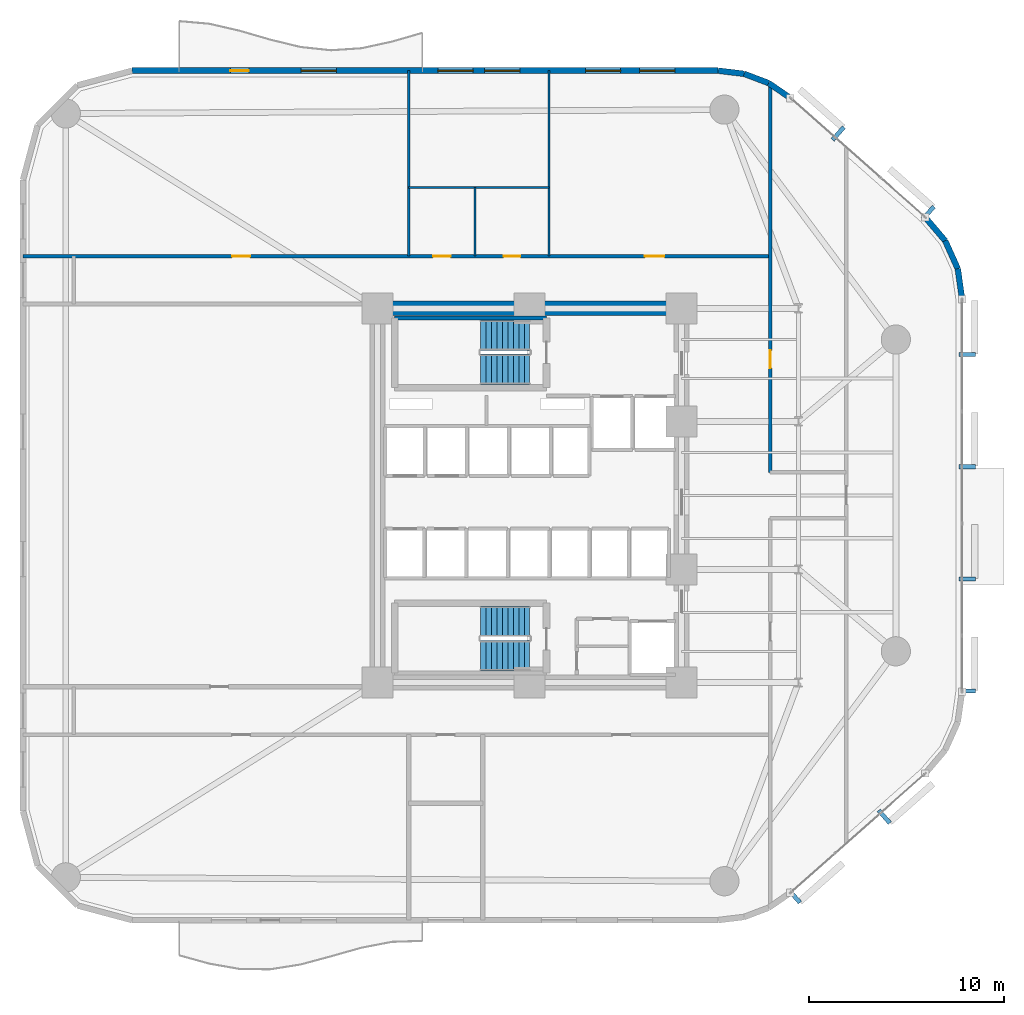
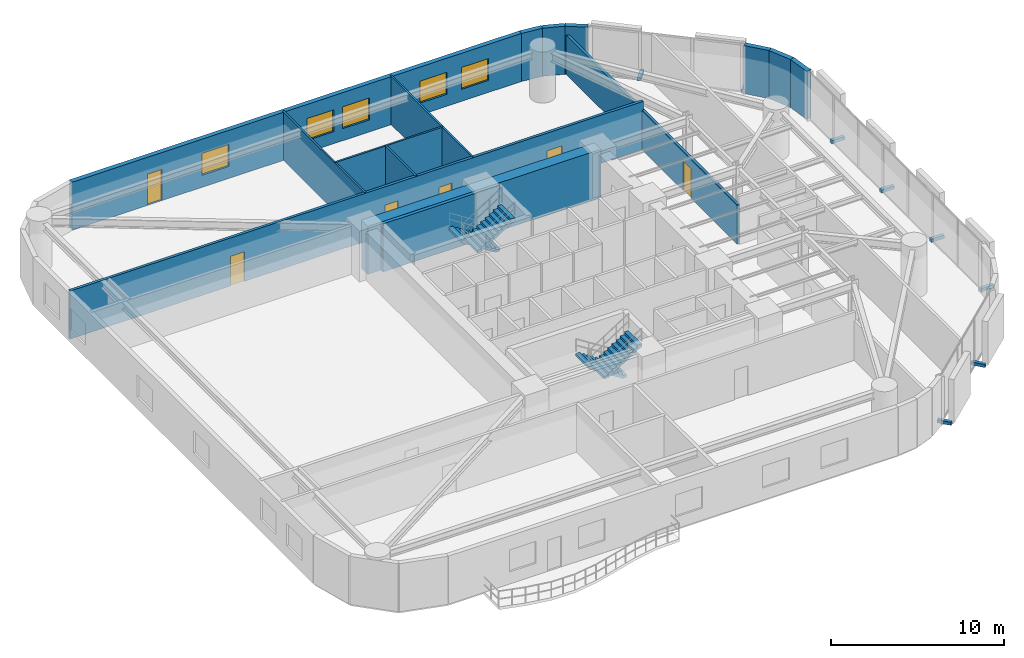
# One storey, part 12 of 15: 15 walls, 8 discrete accessories, 6 doors, 5 windows, 4 stair flights, 11 openings, 2 elements without a shape of their own.
"""IFC4 building model written with IfcOpenShell, lengths in metres."""

from ifc_helpers import new_model, si_unit, direction, frame, frame_2d, origin, origin_2d, place, context, subcontext, project, spatial, polyline, rectangle, outline, extrude, material, layer, layer_set, type_object, element, fill, aggregate, save


model = new_model("IFC4")

# Units and contexts
model_context = context("Model", 3, precision=1e-05, world=origin(), true_north=direction((0.0, 1.0)))
body_context = subcontext(model_context, "Body", "Model", "MODEL_VIEW")
ifc_project = project(units=[si_unit("LENGTHUNIT", "METRE"), si_unit("AREAUNIT", "SQUARE_METRE"), si_unit("VOLUMEUNIT", "CUBIC_METRE"), si_unit("PLANEANGLEUNIT", "RADIAN"), si_unit("MASSUNIT", "GRAM", prefix="KILO")], contexts=[model_context])

# Site, building, storey
site_placement = place(None, origin())
site = spatial("IfcSite", under=ifc_project, at=site_placement, CompositionType="ELEMENT")
building_placement = place(site_placement, origin())
building = spatial("IfcBuilding", under=site, at=building_placement, Name="An Khanh Terracotta Commons", CompositionType="ELEMENT")
storey_placement = place(building_placement, frame((0.0, 0.0, 61.199951171875)))
storey = spatial("IfcBuildingStorey", under=building, at=storey_placement, Name="L16", CompositionType="ELEMENT", Elevation=61.199951171875)

# Wall
ifc_material_1 = material(Name="Concrete C70/85", Category="concrete")
ifc_layer_1 = layer(ifc_material_1, 0.75, Name="Concrete C70/85")
ifc_layer_set_1 = layer_set([ifc_layer_1], Name="Concrete C70/85")
wall_type_1 = type_object("IfcWallType", Name="WALL-CORE-750", PredefinedType="SHEAR", material=ifc_layer_set_1)
wall_1_placement = place(storey_placement, frame((21.60009765625, 33.60009765625, 0.0), z_axis=(0.0, 0.0, 1.0), x_axis=(1.0, 0.0, 0.0)))
element("IfcWall", 1, at=wall_1_placement, inside=storey, type_object=wall_type_1, Name="L16 Core Wall CWALL-L16-N", PredefinedType="SHEAR", context=body_context, shape_type="SweptSolid", body=[
    extrude(rectangle(XDim=15.599853515625, YDim=0.75, at=frame_2d((7.7998046875, 0.0))), origin(), (0.0, 0.0, 1.0), 3.400146484375),
])

# Wall, openings, doors
ifc_material_2 = material(Name="Fire-Rated Gypsum Board on Steel Stud", Category="steel")
ifc_layer_2 = layer(ifc_material_2, 0.179931640625, Name="Fire-Rated Gypsum Board on Steel Stud")
ifc_layer_set_2 = layer_set([ifc_layer_2], Name="Fire-Rated Gypsum Board on Steel Stud")
wall_type_2 = type_object("IfcWallType", Name="WALL-CORR-180", PredefinedType="PARTITIONING", material=ifc_layer_set_2)
wall_2_placement = place(storey_placement, frame((3.39990234375, 36.280029296875, 0.0), z_axis=(0.0, 0.0, 1.0), x_axis=(1.0, 0.0, 0.0)))
wall_2 = element("IfcWall", 2, at=wall_2_placement, inside=storey, type_object=wall_type_2, Name="L16 Interior Partition IW-L16-E007", PredefinedType="PARTITIONING", context=body_context, shape_type="SweptSolid", body=[
    extrude(rectangle(XDim=38.35009765625, YDim=0.179931640625, at=frame_2d((19.175048828125, 0.0))), origin(), (0.0, 0.0, 1.0), 3.400146484375),
])
opening_1_placement = place(wall_2_placement, frame((21.050048828125, 0.0, 0.0)))
opening_1 = element("IfcOpeningElement", 3, at=opening_1_placement, cuts=wall_2, Name="Opening D-WC", PredefinedType="OPENING", context=body_context, shape_type="SweptSolid", body=[
    extrude(rectangle(XDim=0.89990234375, YDim=2.10009765625, at=frame_2d((0.449951171875, 1.050048828125))), frame((0.0, 0.099853515625, 0.0), z_axis=(0.0, -1.0, 0.0), x_axis=(1.0, 0.0, 0.0)), (0.0, 0.0, 1.0), 0.199951171875),
])
opening_2_placement = place(wall_2_placement, frame((24.669921875, 0.0, 0.0)))
opening_2 = element("IfcOpeningElement", 4, at=opening_2_placement, cuts=wall_2, Name="Opening D-ENS", PredefinedType="OPENING", context=body_context, shape_type="SweptSolid", body=[
    extrude(rectangle(XDim=0.860107421875, YDim=2.10009765625, at=frame_2d((0.43017578125, 1.050048828125))), frame((0.0, 0.099853515625, 0.0), z_axis=(0.0, -1.0, 0.0), x_axis=(1.0, 0.0, 0.0)), (0.0, 0.0, 1.0), 0.199951171875),
])
opening_3_placement = place(wall_2_placement, frame((10.739990234375, 0.0, 0.0)))
opening_3 = element("IfcOpeningElement", 5, at=opening_3_placement, cuts=wall_2, Name="Opening D-RM", PredefinedType="OPENING", context=body_context, shape_type="SweptSolid", body=[
    extrude(rectangle(XDim=0.919921875, YDim=2.10009765625, at=frame_2d((0.4599609375, 1.050048828125))), frame((0.0, 0.099853515625, 0.0), z_axis=(0.0, -1.0, 0.0), x_axis=(1.0, 0.0, 0.0)), (0.0, 0.0, 1.0), 0.199951171875),
])
opening_4_placement = place(wall_2_placement, frame((31.9150390625, 0.0, 0.0)))
opening_4 = element("IfcOpeningElement", 6, at=opening_4_placement, cuts=wall_2, Name="Opening D-UN", PredefinedType="OPENING", context=body_context, shape_type="SweptSolid", body=[
    extrude(rectangle(XDim=1.0, YDim=2.14990234375, at=frame_2d((0.5, 1.074951171875))), frame((0.0, 0.099853515625, 0.0), z_axis=(0.0, -1.0, 0.0), x_axis=(1.0, 0.0, 0.0)), (0.0, 0.0, 1.0), 0.199951171875),
])
ifc_material_3 = material(Name="Moisture-Resistant Hardwood Timber Leaf", Category="wood")
door_type_1 = type_object("IfcDoorType", Name="DOOR-BATH-860", OperationType="NOTDEFINED", PredefinedType="DOOR", material=ifc_material_3)
door_1_placement = place(opening_2_placement, origin())
door_1 = element("IfcDoor", 7, at=door_1_placement, inside=storey, type_object=door_type_1, Name="L16 SHW Resident Shared Shower and Washroom Door", OperationType="SINGLE_SWING_RIGHT", OverallHeight=2.10009765625, OverallWidth=0.860107421875, PredefinedType="DOOR", context=body_context, shape_type="SweptSolid", body=[
    extrude(rectangle(XDim=0.860107421875, YDim=2.10009765625, at=frame_2d((0.43017578125, 1.050048828125))), frame((0.0, 0.02490234375, 0.0), z_axis=(0.0, -1.0, 0.0), x_axis=(1.0, 0.0, 0.0)), (0.0, 0.0, 1.0), 0.050048828125),
])
fill(opening_2, door_1)
ifc_material_4 = material(Name="Engineered Hardwood Timber Leaf", Category="wood")
door_type_2 = type_object("IfcDoorType", Name="DOOR-INT-920", OperationType="NOTDEFINED", PredefinedType="DOOR", material=ifc_material_4)
door_2_placement = place(opening_3_placement, origin())
door_2 = element("IfcDoor", 8, at=door_2_placement, inside=storey, type_object=door_type_2, Name="L16 NW1 Student Reading Library Door", OperationType="SINGLE_SWING_LEFT", OverallHeight=2.10009765625, OverallWidth=0.919921875, PredefinedType="DOOR", context=body_context, shape_type="SweptSolid", body=[
    extrude(rectangle(XDim=0.919921875, YDim=2.10009765625, at=frame_2d((0.4599609375, 1.050048828125))), frame((0.0, 0.02490234375, 0.0), z_axis=(0.0, -1.0, 0.0), x_axis=(1.0, 0.0, 0.0)), (0.0, 0.0, 1.0), 0.050048828125),
])
fill(opening_3, door_2)
ifc_material_5 = material(Name="Solid-Core Hardwood Acoustic Fire Door", Category="wood")
door_type_3 = type_object("IfcDoorType", Name="DOOR-UNIT-1000", OperationType="NOTDEFINED", PredefinedType="DOOR", material=ifc_material_5)
door_3_placement = place(opening_4_placement, origin())
door_3 = element("IfcDoor", 9, at=door_3_placement, inside=storey, type_object=door_type_3, Name="L16 NWE Yoga Wellness Studio Door", OperationType="SINGLE_SWING_RIGHT", OverallHeight=2.14990234375, OverallWidth=1.0, PredefinedType="DOOR", context=body_context, shape_type="SweptSolid", body=[
    extrude(rectangle(XDim=1.0, YDim=2.14990234375, at=frame_2d((0.5, 1.074951171875))), frame((0.0, 0.02490234375, 0.0), z_axis=(0.0, -1.0, 0.0), x_axis=(1.0, 0.0, 0.0)), (0.0, 0.0, 1.0), 0.050048828125),
])
fill(opening_4, door_3)
ifc_material_6 = material(Name="Laminate Moisture-Resistant Timber Leaf", Category="wood")
door_type_4 = type_object("IfcDoorType", Name="DOOR-WC-900", OperationType="NOTDEFINED", PredefinedType="DOOR", material=ifc_material_6)
door_4_placement = place(opening_1_placement, origin())
door_4 = element("IfcDoor", 10, at=door_4_placement, inside=storey, type_object=door_type_4, Name="L16 AWC Accessible WC Door", OperationType="SINGLE_SWING_LEFT", OverallHeight=2.10009765625, OverallWidth=0.89990234375, PredefinedType="DOOR", context=body_context, shape_type="SweptSolid", body=[
    extrude(rectangle(XDim=0.89990234375, YDim=2.10009765625, at=frame_2d((0.449951171875, 1.050048828125))), frame((0.0, 0.02490234375, 0.0), z_axis=(0.0, -1.0, 0.0), x_axis=(1.0, 0.0, 0.0)), (0.0, 0.0, 1.0), 0.050048828125),
])
fill(opening_1, door_4)

# Wall, opening, door
wall_3_placement = place(storey_placement, frame((41.75, 25.179931640625, 0.0), z_axis=(0.0, 0.0, 1.0), x_axis=(0.0, 1.0, 0.0)))
wall_3 = element("IfcWall", 11, at=wall_3_placement, inside=storey, type_object=wall_type_2, Name="L16 Interior Partition IW-L16-E017", PredefinedType="PARTITIONING", context=body_context, shape_type="SweptSolid", body=[
    extrude(rectangle(XDim=19.93115234375, YDim=0.179931640625, at=frame_2d((9.965576171875, 0.0))), origin(), (0.0, 0.0, 1.0), 2.781982421875),
])
opening_5_placement = place(wall_3_placement, frame((5.35009765625, 0.0, 0.0)))
opening_5 = element("IfcOpeningElement", 12, at=opening_5_placement, cuts=wall_3, Name="Opening D-RM", PredefinedType="OPENING", context=body_context, shape_type="SweptSolid", body=[
    extrude(rectangle(XDim=0.919921875, YDim=2.10009765625, at=frame_2d((0.4599609375, 1.050048828125))), frame((0.0, 0.099853515625, 0.0), z_axis=(0.0, -1.0, 0.0), x_axis=(1.0, 0.0, 0.0)), (0.0, 0.0, 1.0), 0.199951171875),
])
door_5_placement = place(opening_5_placement, origin())
door_5 = element("IfcDoor", 13, at=door_5_placement, inside=storey, type_object=door_type_2, Name="L16 SPN1 Research Study Office Door", OperationType="SINGLE_SWING_RIGHT", OverallHeight=2.10009765625, OverallWidth=0.919921875, PredefinedType="DOOR", context=body_context, shape_type="SweptSolid", body=[
    extrude(rectangle(XDim=0.919921875, YDim=2.10009765625, at=frame_2d((0.4599609375, 1.050048828125))), frame((0.0, 0.02490234375, 0.0), z_axis=(0.0, -1.0, 0.0), x_axis=(1.0, 0.0, 0.0)), (0.0, 0.0, 1.0), 0.050048828125),
])
fill(opening_5, door_5)

# Walls
ifc_material_7 = material(Name="Precast concrete C40/50", Category="concrete")
ifc_layer_3 = layer(ifc_material_7, 0.300048828125, Name="Precast concrete C40/50")
ifc_layer_set_3 = layer_set([ifc_layer_3], Name="Precast concrete C40/50")
wall_type_3 = type_object("IfcWallType", Name="WALL-EXT-300", PredefinedType="SOLIDWALL", material=ifc_layer_set_3)
wall_4_placement = place(storey_placement, frame((51.60009765625, 34.076904296875, 0.0), z_axis=(0.0, 0.0, 1.0), x_axis=(-0.140380048512, 0.990097693149, 0.0)))
element("IfcWall", 14, at=wall_4_placement, inside=storey, type_object=wall_type_3, Name="L16 Insulated Terracotta Exterior Wall 13", PredefinedType="SOLIDWALL", context=body_context, shape_type="SweptSolid", body=[
    extrude(rectangle(XDim=1.57568359375, YDim=0.300048828125, at=frame_2d((0.787841796875, 0.0))), origin(), (0.0, 0.0, 1.0), 3.400146484375),
])
wall_5_placement = place(storey_placement, frame((51.37890625, 35.636962890625, 0.0), z_axis=(0.0, 0.0, 1.0), x_axis=(-0.410996558744, 0.911636895206, 0.0)))
element("IfcWall", 15, at=wall_5_placement, inside=storey, type_object=wall_type_3, Name="L16 Insulated Terracotta Exterior Wall 14", PredefinedType="SOLIDWALL", context=body_context, shape_type="SweptSolid", body=[
    extrude(rectangle(XDim=1.57421875, YDim=0.300048828125, at=frame_2d((0.787109375, 0.0))), origin(), (0.0, 0.0, 1.0), 3.400146484375),
])
wall_6_placement = place(storey_placement, frame((50.73193359375, 37.072021484375, 0.0), z_axis=(0.0, 0.0, 1.0), x_axis=(-0.648389989909, 0.7613083613, 0.0)))
element("IfcWall", 16, at=wall_6_placement, inside=storey, type_object=wall_type_3, Name="L16 Insulated Terracotta Exterior Wall 15", PredefinedType="SOLIDWALL", context=body_context, shape_type="SweptSolid", body=[
    extrude(rectangle(XDim=1.576171875, YDim=0.300048828125, at=frame_2d((0.7880859375, 0.0))), origin(), (0.0, 0.0, 1.0), 3.400146484375),
])
wall_7_placement = place(storey_placement, frame((42.7890625, 44.39404296875, 0.0), z_axis=(0.0, 0.0, 1.0), x_axis=(-0.823116500192, 0.567872544777, 0.0)))
element("IfcWall", 17, at=wall_7_placement, inside=storey, type_object=wall_type_3, Name="L16 Insulated Terracotta Exterior Wall 17", PredefinedType="SOLIDWALL", context=body_context, shape_type="SweptSolid", body=[
    extrude(rectangle(XDim=1.3486328125, YDim=0.300048828125, at=frame_2d((0.67431640625, 0.0))), origin(), (0.0, 0.0, 1.0), 3.400146484375),
])
wall_8_placement = place(storey_placement, frame((41.678955078125, 45.159912109375, 0.0), z_axis=(0.0, 0.0, 1.0), x_axis=(-0.935156721165, 0.354234254216, 0.0)))
element("IfcWall", 18, at=wall_8_placement, inside=storey, type_object=wall_type_3, Name="L16 Insulated Terracotta Exterior Wall 18", PredefinedType="SOLIDWALL", context=body_context, shape_type="SweptSolid", body=[
    extrude(rectangle(XDim=1.349365234375, YDim=0.300048828125, at=frame_2d((0.6748046875, 0.0))), origin(), (0.0, 0.0, 1.0), 3.400146484375),
])
wall_9_placement = place(storey_placement, frame((40.4169921875, 45.637939453125, 0.0), z_axis=(0.0, 0.0, 1.0), x_axis=(-0.992739027259, 0.120288086515, 0.0)))
element("IfcWall", 19, at=wall_9_placement, inside=storey, type_object=wall_type_3, Name="L16 Insulated Terracotta Exterior Wall 19", PredefinedType="SOLIDWALL", context=body_context, shape_type="SweptSolid", body=[
    extrude(rectangle(XDim=1.34765625, YDim=0.300048828125, at=frame_2d((0.673828125, 0.0))), origin(), (0.0, 0.0, 1.0), 3.400146484375),
])

# Wall, openings, door, windows
wall_10_placement = place(storey_placement, frame((39.0791015625, 45.800048828125, 0.0), z_axis=(0.0, 0.0, 1.0), x_axis=(-1.0, 0.0, 0.0)))
wall_10 = element("IfcWall", 20, at=wall_10_placement, inside=storey, type_object=wall_type_3, Name="L16 Insulated Terracotta Exterior Wall 20", PredefinedType="SOLIDWALL", context=body_context, shape_type="SweptSolid", body=[
    extrude(rectangle(XDim=30.0791015625, YDim=0.300048828125, at=frame_2d((15.03955078125, 0.0))), origin(), (0.0, 0.0, 1.0), 3.400146484375),
])
opening_6_placement = place(wall_10_placement, frame((24.0791015625, 0.0, 0.0)))
opening_6 = element("IfcOpeningElement", 21, at=opening_6_placement, cuts=wall_10, Name="Opening D-BAL", PredefinedType="OPENING", context=body_context, shape_type="SweptSolid", body=[
    extrude(rectangle(XDim=0.949951171875, YDim=2.199951171875, at=frame_2d((0.47509765625, 1.10009765625))), frame((0.0, 0.159912109375, 0.0), z_axis=(0.0, -1.0, 0.0), x_axis=(1.0, 0.0, 0.0)), (0.0, 0.0, 1.0), 0.320068359375),
])
opening_7_placement = place(wall_10_placement, frame((2.22607421875, 0.0, 0.85009765625)))
opening_7 = element("IfcOpeningElement", 22, at=opening_7_placement, cuts=wall_10, Name="Opening W-01", PredefinedType="OPENING", context=body_context, shape_type="SweptSolid", body=[
    extrude(rectangle(XDim=1.800048828125, YDim=1.550048828125, at=frame_2d((0.89990234375, 0.77490234375))), frame((0.0, 0.159912109375, 0.0), z_axis=(0.0, -1.0, 0.0), x_axis=(1.0, 0.0, 0.0)), (0.0, 0.0, 1.0), 0.320068359375),
])
opening_8_placement = place(wall_10_placement, frame((5.0029296875, 0.0, 0.85009765625)))
opening_8 = element("IfcOpeningElement", 23, at=opening_8_placement, cuts=wall_10, Name="Opening W-01", PredefinedType="OPENING", context=body_context, shape_type="SweptSolid", body=[
    extrude(rectangle(XDim=1.800048828125, YDim=1.550048828125, at=frame_2d((0.89990234375, 0.77490234375))), frame((0.0, 0.159912109375, 0.0), z_axis=(0.0, -1.0, 0.0), x_axis=(1.0, 0.0, 0.0)), (0.0, 0.0, 1.0), 0.320068359375),
])
opening_9_placement = place(wall_10_placement, frame((10.178955078125, 0.0, 0.85009765625)))
opening_9 = element("IfcOpeningElement", 24, at=opening_9_placement, cuts=wall_10, Name="Opening W-01", PredefinedType="OPENING", context=body_context, shape_type="SweptSolid", body=[
    extrude(rectangle(XDim=1.800048828125, YDim=1.550048828125, at=frame_2d((0.89990234375, 0.77490234375))), frame((0.0, 0.159912109375, 0.0), z_axis=(0.0, -1.0, 0.0), x_axis=(1.0, 0.0, 0.0)), (0.0, 0.0, 1.0), 0.320068359375),
])
opening_10_placement = place(wall_10_placement, frame((12.5791015625, 0.0, 0.85009765625)))
opening_10 = element("IfcOpeningElement", 25, at=opening_10_placement, cuts=wall_10, Name="Opening W-01", PredefinedType="OPENING", context=body_context, shape_type="SweptSolid", body=[
    extrude(rectangle(XDim=1.800048828125, YDim=1.550048828125, at=frame_2d((0.89990234375, 0.77490234375))), frame((0.0, 0.159912109375, 0.0), z_axis=(0.0, -1.0, 0.0), x_axis=(1.0, 0.0, 0.0)), (0.0, 0.0, 1.0), 0.320068359375),
])
opening_11_placement = place(wall_10_placement, frame((19.595947265625, 0.0, 0.85009765625)))
opening_11 = element("IfcOpeningElement", 26, at=opening_11_placement, cuts=wall_10, Name="Opening W-01", PredefinedType="OPENING", context=body_context, shape_type="SweptSolid", body=[
    extrude(rectangle(XDim=1.800048828125, YDim=1.550048828125, at=frame_2d((0.89990234375, 0.77490234375))), frame((0.0, 0.159912109375, 0.0), z_axis=(0.0, -1.0, 0.0), x_axis=(1.0, 0.0, 0.0)), (0.0, 0.0, 1.0), 0.320068359375),
])
ifc_material_8 = material(Name="Thermally Broken Aluminium and Low-E Glass", Category="aluminium")
door_type_5 = type_object("IfcDoorType", Name="DOOR-BALC-950", OperationType="NOTDEFINED", PredefinedType="DOOR", material=ifc_material_8)
door_6_placement = place(opening_6_placement, origin())
door_6 = element("IfcDoor", 27, at=door_6_placement, inside=storey, type_object=door_type_5, Name="L16 N Wave Balcony Glazed Door", OperationType="SINGLE_SWING_RIGHT", OverallHeight=2.199951171875, OverallWidth=0.949951171875, PredefinedType="DOOR", context=body_context, shape_type="SweptSolid", body=[
    extrude(rectangle(XDim=0.949951171875, YDim=2.199951171875, at=frame_2d((0.47509765625, 1.10009765625))), frame((0.0, 0.02490234375, 0.0), z_axis=(0.0, -1.0, 0.0), x_axis=(1.0, 0.0, 0.0)), (0.0, 0.0, 1.0), 0.050048828125),
])
fill(opening_6, door_6)
window_type = type_object("IfcWindowType", Name="WIN-Z1-1800x1550", PartitioningType="DOUBLE_PANEL_VERTICAL", PredefinedType="WINDOW", material=ifc_material_8)
window_1_placement = place(opening_7_placement, origin())
window_1 = element("IfcWindow", 28, at=window_1_placement, inside=storey, type_object=window_type, Name="L16 Operable Casement Window 20.1", OverallHeight=1.550048828125, OverallWidth=1.800048828125, PartitioningType="DOUBLE_PANEL_VERTICAL", PredefinedType="WINDOW", context=body_context, shape_type="SweptSolid", body=[
    extrude(rectangle(XDim=1.800048828125, YDim=1.550048828125, at=frame_2d((0.89990234375, 0.77490234375))), frame((0.0, 0.030029296875, 0.0), z_axis=(0.0, -1.0, 0.0), x_axis=(1.0, 0.0, 0.0)), (0.0, 0.0, 1.0), 0.06005859375),
])
fill(opening_7, window_1)
window_2_placement = place(opening_8_placement, origin())
window_2 = element("IfcWindow", 29, at=window_2_placement, inside=storey, type_object=window_type, Name="L16 Operable Casement Window 20.2", OverallHeight=1.550048828125, OverallWidth=1.800048828125, PartitioningType="DOUBLE_PANEL_VERTICAL", PredefinedType="WINDOW", context=body_context, shape_type="SweptSolid", body=[
    extrude(rectangle(XDim=1.800048828125, YDim=1.550048828125, at=frame_2d((0.89990234375, 0.77490234375))), frame((0.0, 0.030029296875, 0.0), z_axis=(0.0, -1.0, 0.0), x_axis=(1.0, 0.0, 0.0)), (0.0, 0.0, 1.0), 0.06005859375),
])
fill(opening_8, window_2)
window_3_placement = place(opening_9_placement, origin())
window_3 = element("IfcWindow", 30, at=window_3_placement, inside=storey, type_object=window_type, Name="L16 Operable Casement Window 20.3", OverallHeight=1.550048828125, OverallWidth=1.800048828125, PartitioningType="DOUBLE_PANEL_VERTICAL", PredefinedType="WINDOW", context=body_context, shape_type="SweptSolid", body=[
    extrude(rectangle(XDim=1.800048828125, YDim=1.550048828125, at=frame_2d((0.89990234375, 0.77490234375))), frame((0.0, 0.030029296875, 0.0), z_axis=(0.0, -1.0, 0.0), x_axis=(1.0, 0.0, 0.0)), (0.0, 0.0, 1.0), 0.06005859375),
])
fill(opening_9, window_3)
window_4_placement = place(opening_10_placement, origin())
window_4 = element("IfcWindow", 31, at=window_4_placement, inside=storey, type_object=window_type, Name="L16 Operable Casement Window 20.4", OverallHeight=1.550048828125, OverallWidth=1.800048828125, PartitioningType="DOUBLE_PANEL_VERTICAL", PredefinedType="WINDOW", context=body_context, shape_type="SweptSolid", body=[
    extrude(rectangle(XDim=1.800048828125, YDim=1.550048828125, at=frame_2d((0.89990234375, 0.77490234375))), frame((0.0, 0.030029296875, 0.0), z_axis=(0.0, -1.0, 0.0), x_axis=(1.0, 0.0, 0.0)), (0.0, 0.0, 1.0), 0.06005859375),
])
fill(opening_10, window_4)
window_5_placement = place(opening_11_placement, origin())
window_5 = element("IfcWindow", 32, at=window_5_placement, inside=storey, type_object=window_type, Name="L16 Operable Casement Window 20.5", OverallHeight=1.550048828125, OverallWidth=1.800048828125, PartitioningType="DOUBLE_PANEL_VERTICAL", PredefinedType="WINDOW", context=body_context, shape_type="SweptSolid", body=[
    extrude(rectangle(XDim=1.800048828125, YDim=1.550048828125, at=frame_2d((0.89990234375, 0.77490234375))), frame((0.0, 0.030029296875, 0.0), z_axis=(0.0, -1.0, 0.0), x_axis=(1.0, 0.0, 0.0)), (0.0, 0.0, 1.0), 0.06005859375),
])
fill(opening_11, window_5)

# Walls
ifc_material_9 = material(Name="Acoustic Double-Stud Gypsum and Mineral Wool")
ifc_layer_4 = layer(ifc_material_9, 0.219970703125, Name="Acoustic Double-Stud Gypsum and Mineral Wool")
ifc_layer_set_4 = layer_set([ifc_layer_4], Name="Acoustic Double-Stud Gypsum and Mineral Wool")
wall_type_4 = type_object("IfcWallType", Name="WALL-PARTY-220", PredefinedType="PARTITIONING", material=ifc_layer_set_4)
wall_11_placement = place(storey_placement, frame((22.47998046875, 33.110107421875, 0.0), z_axis=(0.0, 0.0, 1.0), x_axis=(1.0, 0.0, 0.0)))
element("IfcWall", 33, at=wall_11_placement, inside=storey, type_object=wall_type_4, Name="L16 Core Wall STW-L16-N-N", PredefinedType="PARTITIONING", context=body_context, shape_type="SweptSolid", body=[
    extrude(rectangle(XDim=7.7900390625, YDim=0.219970703125, at=frame_2d((3.89501953125, 0.0))), origin(), (0.0, 0.0, 1.0), 3.400146484375),
])
ifc_material_10 = material(Name="Moisture-Resistant Cement Board Partition")
ifc_layer_5 = layer(ifc_material_10, 0.1201171875, Name="Moisture-Resistant Cement Board Partition")
ifc_layer_set_5 = layer_set([ifc_layer_5], Name="Moisture-Resistant Cement Board Partition")
wall_type_5 = type_object("IfcWallType", Name="WALL-WET-120", PredefinedType="PARTITIONING", material=ifc_layer_set_5)
wall_12_placement = place(storey_placement, frame((23.199951171875, 39.800048828125, 0.0), z_axis=(0.0, 0.0, 1.0), x_axis=(1.0, 0.0, 0.0)))
element("IfcWall", 34, at=wall_12_placement, inside=storey, type_object=wall_type_5, Name="L16 Interior Partition IW-L16-E008", PredefinedType="PARTITIONING", context=body_context, shape_type="SweptSolid", body=[
    extrude(rectangle(XDim=7.199951171875, YDim=0.1201171875, at=frame_2d((3.60009765625, 0.0))), origin(), (0.0, 0.0, 1.0), 3.400146484375),
])
wall_13_placement = place(storey_placement, frame((23.199951171875, 36.280029296875, 0.0), z_axis=(0.0, 0.0, 1.0), x_axis=(0.0, 1.0, 0.0)))
element("IfcWall", 35, at=wall_13_placement, inside=storey, type_object=wall_type_5, Name="L16 Interior Partition IW-L16-E012", PredefinedType="PARTITIONING", context=body_context, shape_type="SweptSolid", body=[
    extrude(rectangle(XDim=9.52001953125, YDim=0.1201171875, at=frame_2d((4.760009765625, 0.0))), origin(), (0.0, 0.0, 1.0), 3.400146484375),
])
wall_14_placement = place(storey_placement, frame((26.60009765625, 36.280029296875, 0.0), z_axis=(0.0, 0.0, 1.0), x_axis=(0.0, 1.0, 0.0)))
element("IfcWall", 36, at=wall_14_placement, inside=storey, type_object=wall_type_5, Name="L16 Interior Partition IW-L16-E013", PredefinedType="PARTITIONING", context=body_context, shape_type="SweptSolid", body=[
    extrude(rectangle(XDim=3.52001953125, YDim=0.1201171875, at=frame_2d((1.760009765625, 0.0))), origin(), (0.0, 0.0, 1.0), 3.400146484375),
])
wall_15_placement = place(storey_placement, frame((30.39990234375, 36.280029296875, 0.0), z_axis=(0.0, 0.0, 1.0), x_axis=(0.0, 1.0, 0.0)))
element("IfcWall", 37, at=wall_15_placement, inside=storey, type_object=wall_type_5, Name="L16 Interior Partition IW-L16-E015", PredefinedType="PARTITIONING", context=body_context, shape_type="SweptSolid", body=[
    extrude(rectangle(XDim=9.52001953125, YDim=0.1201171875, at=frame_2d((4.760009765625, 0.0))), origin(), (0.0, 0.0, 1.0), 3.400146484375),
])

# Stair, stair flights
stair_type = type_object("IfcStairType", Name="STAIR-CORE-1550", PredefinedType="HALF_TURN_STAIR", material=ifc_material_7)
stair_1_placement = place(storey_placement, origin())
stair_1 = element("IfcStair", 38, at=stair_1_placement, inside=storey, type_object=stair_type, Name="L16 Core Smokeproof Exit Stair ST-01", PredefinedType="HALF_TURN_STAIR")
stair_flight_type = type_object("IfcStairFlightType", Name="FLIGHT-CORE-1550", PredefinedType="STRAIGHT", material=ifc_material_7)
stair_flight_1_placement = place(storey_placement, frame((29.409912109375, 32.22509765625, 0.0), z_axis=(0.0, 0.0, 1.0), x_axis=(-1.0, 0.0, 0.0)))
stair_flight_1 = element("IfcStairFlight", 39, at=stair_flight_1_placement, type_object=stair_flight_type, Name="ST-01 flight 1", NumberOfRisers=10, NumberOfTreads=9, PredefinedType="STRAIGHT", RiserHeight=0.18, TreadLength=0.28, context=body_context, shape_type="SweptSolid", body=[
    extrude(outline(polyline([(0.0, 0.0), (0.0, 0.179931640625), (0.280029296875, 0.179931640625), (0.280029296875, 0.360107421875), (0.56005859375, 0.360107421875), (0.56005859375, 0.5400390625), (0.840087890625, 0.5400390625), (0.840087890625, 0.719970703125), (1.1201171875, 0.719970703125), (1.1201171875, 0.89990234375), (1.39990234375, 0.89990234375), (1.39990234375, 1.080078125), (1.679931640625, 1.080078125), (1.679931640625, 1.260009765625), (1.9599609375, 1.260009765625), (1.9599609375, 1.43994140625), (2.239990234375, 1.43994140625), (2.239990234375, 1.6201171875), (2.52001953125, 1.6201171875), (2.52001953125, 1.800048828125), (2.52001953125, 1.44189453125), (0.277099609375, 0.0), (0.0, 0.0)])), frame((0.0, 0.77490234375, 0.0), z_axis=(0.0, -1.0, 0.0), x_axis=(1.0, 0.0, 0.0)), (0.0, 0.0, 1.0), 1.550048828125),
])
stair_flight_2_placement = place(storey_placement, frame((26.889892578125, 30.47509765625, 1.800048828125), z_axis=(0.0, 0.0, 1.0), x_axis=(1.0, 0.0, 0.0)))
stair_flight_2 = element("IfcStairFlight", 40, at=stair_flight_2_placement, type_object=stair_flight_type, Name="ST-01 flight 2", NumberOfRisers=10, NumberOfTreads=9, PredefinedType="STRAIGHT", RiserHeight=0.18, TreadLength=0.28, context=body_context, shape_type="SweptSolid", body=[
    extrude(outline(polyline([(0.0, 0.0), (0.0, 0.179931640625), (0.280029296875, 0.179931640625), (0.280029296875, 0.360107421875), (0.56005859375, 0.360107421875), (0.56005859375, 0.5400390625), (0.840087890625, 0.5400390625), (0.840087890625, 0.719970703125), (1.1201171875, 0.719970703125), (1.1201171875, 0.89990234375), (1.39990234375, 0.89990234375), (1.39990234375, 1.080078125), (1.679931640625, 1.080078125), (1.679931640625, 1.260009765625), (1.9599609375, 1.260009765625), (1.9599609375, 1.43994140625), (2.239990234375, 1.43994140625), (2.239990234375, 1.6201171875), (2.52001953125, 1.6201171875), (2.52001953125, 1.800048828125), (2.52001953125, 1.44189453125), (0.277099609375, 0.0), (0.0, 0.0)])), frame((0.0, 0.77490234375, 0.0), z_axis=(0.0, -1.0, 0.0), x_axis=(1.0, 0.0, 0.0)), (0.0, 0.0, 1.0), 1.550048828125),
])
aggregate(stair_1, [stair_flight_1, stair_flight_2])

stair_2_placement = place(storey_placement, origin())
stair_2 = element("IfcStair", 41, at=stair_2_placement, inside=storey, type_object=stair_type, Name="L16 Core Smokeproof Exit Stair ST-02", PredefinedType="HALF_TURN_STAIR")
stair_flight_3_placement = place(storey_placement, frame((29.409912109375, 17.52490234375, 0.0), z_axis=(0.0, 0.0, 1.0), x_axis=(-1.0, 0.0, 0.0)))
stair_flight_3 = element("IfcStairFlight", 42, at=stair_flight_3_placement, type_object=stair_flight_type, Name="ST-02 flight 1", NumberOfRisers=10, NumberOfTreads=9, PredefinedType="STRAIGHT", RiserHeight=0.18, TreadLength=0.28, context=body_context, shape_type="SweptSolid", body=[
    extrude(outline(polyline([(0.0, 0.0), (0.0, 0.179931640625), (0.280029296875, 0.179931640625), (0.280029296875, 0.360107421875), (0.56005859375, 0.360107421875), (0.56005859375, 0.5400390625), (0.840087890625, 0.5400390625), (0.840087890625, 0.719970703125), (1.1201171875, 0.719970703125), (1.1201171875, 0.89990234375), (1.39990234375, 0.89990234375), (1.39990234375, 1.080078125), (1.679931640625, 1.080078125), (1.679931640625, 1.260009765625), (1.9599609375, 1.260009765625), (1.9599609375, 1.43994140625), (2.239990234375, 1.43994140625), (2.239990234375, 1.6201171875), (2.52001953125, 1.6201171875), (2.52001953125, 1.800048828125), (2.52001953125, 1.44189453125), (0.277099609375, 0.0), (0.0, 0.0)])), frame((0.0, 0.77490234375, 0.0), z_axis=(0.0, -1.0, 0.0), x_axis=(1.0, 0.0, 0.0)), (0.0, 0.0, 1.0), 1.550048828125),
])
stair_flight_4_placement = place(storey_placement, frame((26.889892578125, 15.77490234375, 1.800048828125), z_axis=(0.0, 0.0, 1.0), x_axis=(1.0, 0.0, 0.0)))
stair_flight_4 = element("IfcStairFlight", 43, at=stair_flight_4_placement, type_object=stair_flight_type, Name="ST-02 flight 2", NumberOfRisers=10, NumberOfTreads=9, PredefinedType="STRAIGHT", RiserHeight=0.18, TreadLength=0.28, context=body_context, shape_type="SweptSolid", body=[
    extrude(outline(polyline([(0.0, 0.0), (0.0, 0.179931640625), (0.280029296875, 0.179931640625), (0.280029296875, 0.360107421875), (0.56005859375, 0.360107421875), (0.56005859375, 0.5400390625), (0.840087890625, 0.5400390625), (0.840087890625, 0.719970703125), (1.1201171875, 0.719970703125), (1.1201171875, 0.89990234375), (1.39990234375, 0.89990234375), (1.39990234375, 1.080078125), (1.679931640625, 1.080078125), (1.679931640625, 1.260009765625), (1.9599609375, 1.260009765625), (1.9599609375, 1.43994140625), (2.239990234375, 1.43994140625), (2.239990234375, 1.6201171875), (2.52001953125, 1.6201171875), (2.52001953125, 1.800048828125), (2.52001953125, 1.44189453125), (0.277099609375, 0.0), (0.0, 0.0)])), frame((0.0, 0.77490234375, 0.0), z_axis=(0.0, -1.0, 0.0), x_axis=(1.0, 0.0, 0.0)), (0.0, 0.0, 1.0), 1.550048828125),
])
aggregate(stair_2, [stair_flight_3, stair_flight_4])

# Discrete accessories
ifc_material_11 = material(Name="Stainless Steel Grade 316L", Category="steel")
discrete_accessory_type = type_object("IfcDiscreteAccessoryType", Name="Stainless Outrigger Facade Bracket", PredefinedType="BRACKET", material=ifc_material_11)
for number, where, z_axis, x_axis, name in (
    (44, (42.990966796875, 3.430908203125, 0.06982421875), (0.0, 0.0, 1.0), (0.749019284633, 0.662548195415, 0.0), "L16 Terracotta Screen Outrigger Bracket 1"),
    (45, (47.60498046875, 7.511962890625, 0.06982421875), (0.0, 0.0, 1.0), (0.749019284633, 0.662548195415, 0.0), "L16 Terracotta Screen Outrigger Bracket 3"),
    (46, (51.864990234375, 13.9580078125, 0.06982421875), (0.0, 0.0, 1.0), (0.0, 1.0, 0.0), "L16 Terracotta Screen Outrigger Bracket 1"),
    (47, (51.864990234375, 19.716064453125, 0.06982421875), (0.0, 0.0, 1.0), (0.0, 1.0, 0.0), "L16 Terracotta Screen Outrigger Bracket 3"),
    (48, (51.864990234375, 25.47509765625, 0.06982421875), (0.0, 0.0, 1.0), (0.0, 1.0, 0.0), "L16 Terracotta Screen Outrigger Bracket 5"),
    (49, (51.864990234375, 31.23291015625, 0.06982421875), (0.0, 0.0, 1.0), (0.0, 1.0, 0.0), "L16 Terracotta Screen Outrigger Bracket 7"),
    (50, (49.85888671875, 38.493896484375, 0.06982421875), (0.0, 0.0, 1.0), (-0.749019284633, 0.662548195415, 0.0), "L16 Terracotta Screen Outrigger Bracket 1"),
    (51, (45.2451171875, 42.574951171875, 0.06982421875), (0.0, 0.0, 1.0), (-0.749019284633, 0.662548195415, 0.0), "L16 Terracotta Screen Outrigger Bracket 3"),
):
    element("IfcDiscreteAccessory", number, at=place(storey_placement, frame(where, z_axis=z_axis, x_axis=x_axis)), inside=storey, type_object=discrete_accessory_type, Name=name, PredefinedType="BRACKET", context=body_context, shape_type="SweptSolid", body=[
        extrude(rectangle(XDim=0.219970703125, YDim=0.8701171875, at=origin_2d()), origin(), (0.0, 0.0, 1.0), 0.219970703125),
    ])

save(model, "model.ifc")
